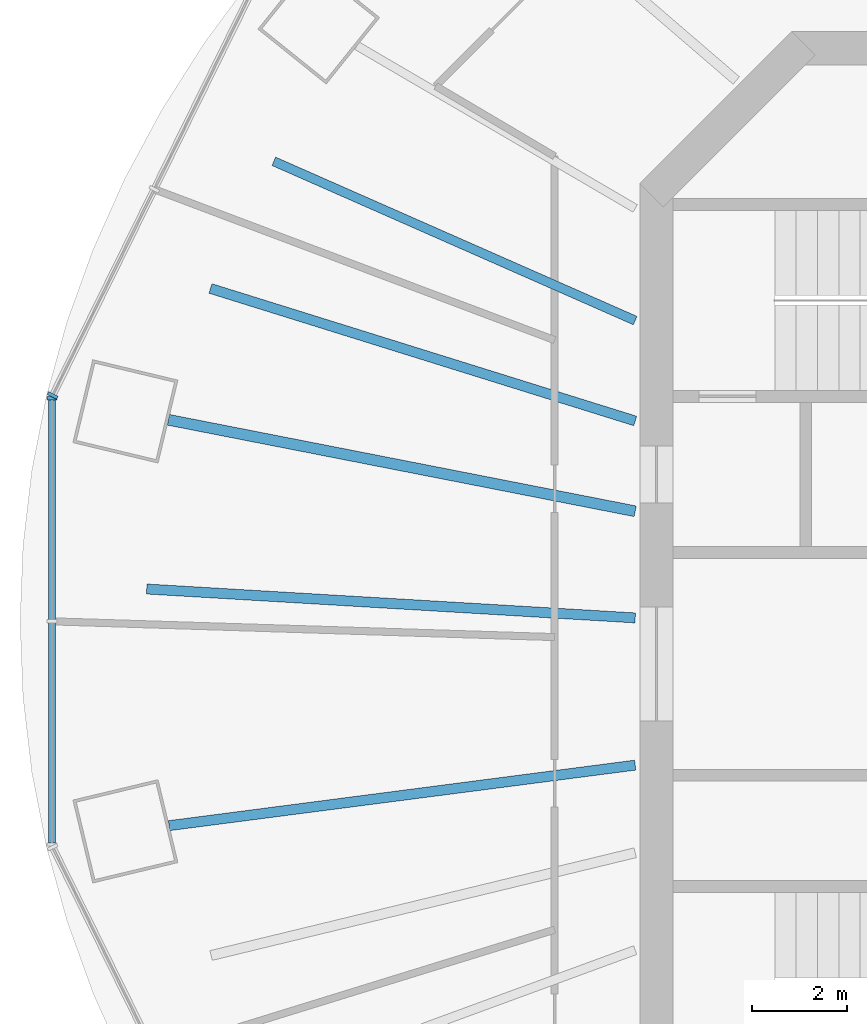
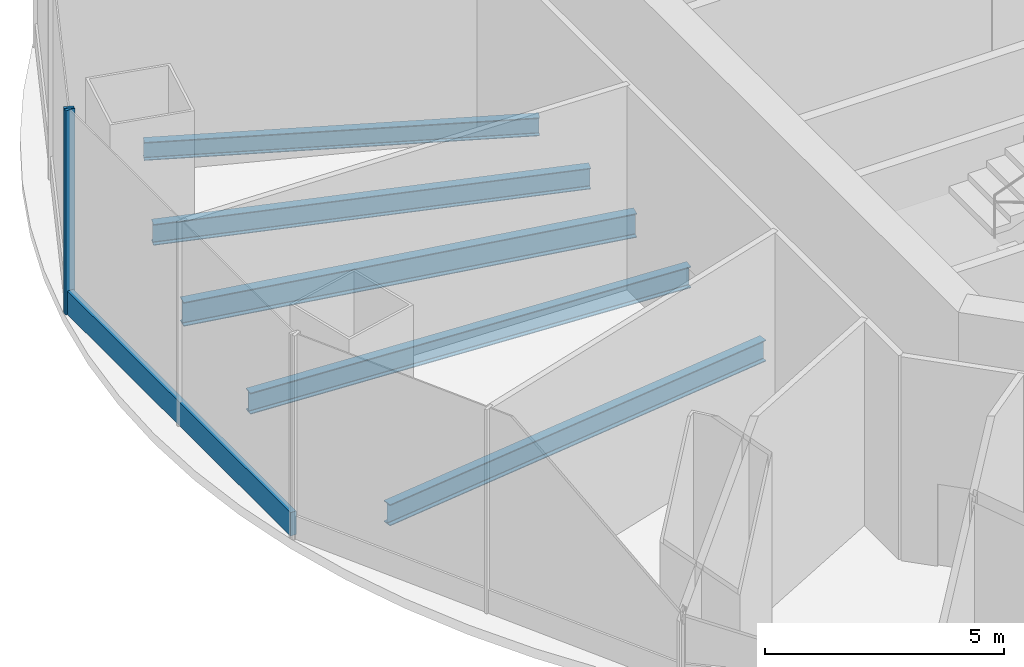
# One storey, part 3 of 12: 5 beams, 3 members, 2 elements without a shape of their own.
"""IFC4 building model written with IfcOpenShell, lengths in metres."""

from ifc_helpers import new_model, si_unit, direction, frame, origin, origin_2d, place, context, subcontext, project, spatial, rectangle, i_section, extrude, material, material_profile, profile_set, type_object, element, aggregate, save


model = new_model("IFC4")

# Units and contexts
model_context = context("Model", 3, precision=1e-05, world=origin(), true_north=direction((0.0, 1.0)))
body_context = subcontext(model_context, "Body", "Model", "MODEL_VIEW")
ifc_project = project(units=[si_unit("LENGTHUNIT", "METRE"), si_unit("AREAUNIT", "SQUARE_METRE"), si_unit("VOLUMEUNIT", "CUBIC_METRE"), si_unit("PLANEANGLEUNIT", "RADIAN"), si_unit("MASSUNIT", "GRAM", prefix="KILO")], contexts=[model_context])

# Site, building, storey
site_placement = place(None, origin())
site = spatial("IfcSite", under=ifc_project, at=site_placement, CompositionType="ELEMENT")
building_placement = place(site_placement, origin())
building = spatial("IfcBuilding", under=site, at=building_placement, Name="Marenthal Gate Tower", CompositionType="ELEMENT")
storey_placement = place(building_placement, frame((0.0, 0.0, 279.10009765625)))
storey = spatial("IfcBuildingStorey", under=building, at=storey_placement, Name="L62", CompositionType="ELEMENT", Elevation=279.10009765625)

# Curtain wall, member
ifc_material_1 = material(Name="Aluminium and glass", Category="aluminium")
curtain_wall_type = type_object("IfcCurtainWallType", Name="Curtain wall sky lobby", PredefinedType="NOTDEFINED", material=ifc_material_1)
curtain_wall_1_placement = place(storey_placement, origin())
curtain_wall_1 = element("IfcCurtainWall", 1, at=curtain_wall_1_placement, inside=storey, type_object=curtain_wall_type, Name="Curtain wall L62 bay 7", PredefinedType="NOTDEFINED")
ifc_material_2 = material(Name="Aluminium", Category="aluminium")
ifc_material_profile_1 = material_profile(ifc_material_2, rectangle(XDim=0.219970703125, YDim=0.070068359375, at=origin_2d()), Name="70x220 aluminium mullion")
ifc_profile_set_1 = profile_set([ifc_material_profile_1], Name="Aluminium")
member_type_1 = type_object("IfcMemberType", Name="Mullion 70x220 sky lobby", PredefinedType="MULLION", material=ifc_profile_set_1)
member_1_placement = place(storey_placement, frame((-28.7490234375, 5.668212890625, 0.0), z_axis=(0.0, 0.0, 1.0), x_axis=(0.89697015821, -0.442091093871, 0.0)))
member_1 = element("IfcMember", 2, at=member_1_placement, type_object=member_type_1, Name="Mullion L62 bay 7.3", PredefinedType="MULLION", context=body_context, shape_type="SweptSolid", body=[
    extrude(rectangle(XDim=0.219970703125, YDim=0.070068359375, at=origin_2d()), origin(), (0.0, 0.0, 1.0), 5.219970703125),
])
aggregate(curtain_wall_1, [member_1])

# Curtain wall, members
curtain_wall_2_placement = place(storey_placement, origin())
curtain_wall_2 = element("IfcCurtainWall", 3, at=curtain_wall_2_placement, inside=storey, type_object=curtain_wall_type, Name="Curtain wall L62 bay 8", PredefinedType="NOTDEFINED")
member_2_placement = place(storey_placement, frame((-28.76220703125, 5.611328125, 0.0), z_axis=(0.0, 0.0, 1.0), x_axis=(1.0, 0.0, 0.0)))
member_2 = element("IfcMember", 4, at=member_2_placement, type_object=member_type_1, Name="Mullion L62 bay 8.1", PredefinedType="MULLION", context=body_context, shape_type="SweptSolid", body=[
    extrude(rectangle(XDim=0.219970703125, YDim=0.070068359375, at=origin_2d()), origin(), (0.0, 0.0, 1.0), 5.219970703125),
])
ifc_material_3 = material(Name="Aluminium", Category="aluminium")
ifc_material_profile_2 = material_profile(ifc_material_3, rectangle(XDim=0.139892578125, YDim=0.60009765625, at=origin_2d()), Name="140x600 aluminium transom")
ifc_profile_set_2 = profile_set([ifc_material_profile_2], Name="Aluminium")
member_type_2 = type_object("IfcMemberType", Name="Transom 140x600 sky lobby", PredefinedType="USERDEFINED", material=ifc_profile_set_2)
member_3_placement = place(storey_placement, frame((-28.76220703125, 5.576416015625, 0.2998046875), z_axis=(0.0, -1.0, 0.0), x_axis=(1.0, 0.0, 0.0)))
member_3 = element("IfcMember", 5, at=member_3_placement, type_object=member_type_2, Name="Transom L62 bay 8", ObjectType="TRANSOM", PredefinedType="USERDEFINED", context=body_context, shape_type="SweptSolid", body=[
    extrude(rectangle(XDim=0.139892578125, YDim=0.60009765625, at=origin_2d()), origin(), (0.0, 0.0, 1.0), 9.352783203125),
])
aggregate(curtain_wall_2, [member_2, member_3])

# Beams
ifc_material_4 = material(Name="Steel S355", Category="steel")
ifc_material_profile_3 = material_profile(ifc_material_4, i_section(OverallWidth=0.193115234375, OverallDepth=0.467041015625, WebThickness=0.011474609375, FlangeThickness=0.01904296875, FilletRadius=0.010009765625, at=origin_2d()), Name="W460X97")
ifc_profile_set_3 = profile_set([ifc_material_profile_3], Name="Steel S355")
beam_type_1 = type_object("IfcBeamType", Name="W460X97 beam", PredefinedType="BEAM", material=ifc_profile_set_3)
beam_1_placement = place(storey_placement, frame((-24.0791015625, 10.612060546875, -0.483642578125), z_axis=(0.915072632267, -0.403289074581, 0.0), x_axis=(0.403289074581, 0.915072632267, 0.0)))
element("IfcBeam", 6, at=beam_1_placement, inside=storey, type_object=beam_type_1, Name="BM-L62-26", PredefinedType="BEAM", context=body_context, shape_type="SweptSolid", body=[
    extrude(i_section(OverallWidth=0.193115234375, OverallDepth=0.467041015625, WebThickness=0.011474609375, FlangeThickness=0.01904296875, FilletRadius=0.010009765625, at=origin_2d()), origin(), (0.0, 0.0, 1.0), 8.337158203125),
])
ifc_material_5 = material(Name="Steel S355", Category="steel")
ifc_material_profile_4 = material_profile(ifc_material_5, i_section(OverallWidth=0.2099609375, OverallDepth=0.535888671875, WebThickness=0.010986328125, FlangeThickness=0.017333984375, FilletRadius=0.0126953125, at=origin_2d()), Name="W530X101")
ifc_profile_set_4 = profile_set([ifc_material_profile_4], Name="Steel S355")
beam_type_2 = type_object("IfcBeamType", Name="W530X101 beam", PredefinedType="BEAM", material=ifc_profile_set_4)
beam_2_placement = place(storey_placement, frame((-25.4169921875, 7.927734375, -0.51806640625), z_axis=(0.954641244483, -0.297758449639, 0.0), x_axis=(0.297758449639, 0.954641244483, 0.0)))
element("IfcBeam", 7, at=beam_2_placement, inside=storey, type_object=beam_type_2, Name="BM-L62-27", PredefinedType="BEAM", context=body_context, shape_type="SweptSolid", body=[
    extrude(i_section(OverallWidth=0.2099609375, OverallDepth=0.535888671875, WebThickness=0.010986328125, FlangeThickness=0.017333984375, FilletRadius=0.0126953125, at=origin_2d()), origin(), (0.0, 0.0, 1.0), 9.39306640625),
])
ifc_material_6 = material(Name="Steel S355", Category="steel")
ifc_material_profile_5 = material_profile(ifc_material_6, i_section(OverallWidth=0.2119140625, OverallDepth=0.5439453125, WebThickness=0.01318359375, FlangeThickness=0.021240234375, FilletRadius=0.0126953125, at=origin_2d()), Name="W530X123")
ifc_profile_set_5 = profile_set([ifc_material_profile_5], Name="Steel S355")
beam_type_3 = type_object("IfcBeamType", Name="W530X123 beam", PredefinedType="BEAM", material=ifc_profile_set_5)
beam_3_placement = place(storey_placement, frame((-26.290283203125, -3.4130859375, -0.522216796875), z_axis=(0.991680070189, 0.128726991694, 0.0), x_axis=(-0.128726991694, 0.991680070189, 0.0)))
element("IfcBeam", 8, at=beam_3_placement, inside=storey, type_object=beam_type_3, Name="BM-L62-09", PredefinedType="BEAM", context=body_context, shape_type="SweptSolid", body=[
    extrude(i_section(OverallWidth=0.2119140625, OverallDepth=0.5439453125, WebThickness=0.01318359375, FlangeThickness=0.021240234375, FilletRadius=0.0126953125, at=origin_2d()), origin(), (0.0, 0.0, 1.0), 9.9228515625),
])
beam_4_placement = place(storey_placement, frame((-26.7626953125, 1.582763671875, -0.522216796875), z_axis=(0.998255989033, -0.059033722227, 0.0), x_axis=(0.059033722227, 0.998255989033, 0.0)))
element("IfcBeam", 9, at=beam_4_placement, inside=storey, type_object=beam_type_3, Name="BM-L62-28", PredefinedType="BEAM", context=body_context, shape_type="SweptSolid", body=[
    extrude(i_section(OverallWidth=0.2119140625, OverallDepth=0.5439453125, WebThickness=0.01318359375, FlangeThickness=0.021240234375, FilletRadius=0.0126953125, at=origin_2d()), origin(), (0.0, 0.0, 1.0), 10.330810546875),
])
ifc_material_7 = material(Name="Steel S355", Category="steel")
ifc_material_profile_6 = material_profile(ifc_material_7, i_section(OverallWidth=0.22900390625, OverallDepth=0.612060546875, WebThickness=0.011962890625, FlangeThickness=0.01953125, FilletRadius=0.0126953125, at=origin_2d()), Name="W610X125")
ifc_profile_set_6 = profile_set([ifc_material_profile_6], Name="Steel S355")
beam_type_4 = type_object("IfcBeamType", Name="W610X125 beam", PredefinedType="BEAM", material=ifc_profile_set_6)
beam_5_placement = place(storey_placement, frame((-26.30419921875, 5.155029296875, -0.55615234375), z_axis=(0.981333547494, -0.192313464328, 0.0), x_axis=(0.192313464328, 0.981333547494, 0.0)))
element("IfcBeam", 10, at=beam_5_placement, inside=storey, type_object=beam_type_4, Name="BM-L62-08", PredefinedType="BEAM", context=body_context, shape_type="SweptSolid", body=[
    extrude(i_section(OverallWidth=0.22900390625, OverallDepth=0.612060546875, WebThickness=0.011962890625, FlangeThickness=0.01953125, FilletRadius=0.0126953125, at=origin_2d()), origin(), (0.0, 0.0, 1.0), 10.041748046875),
])

save(model, "model.ifc")
